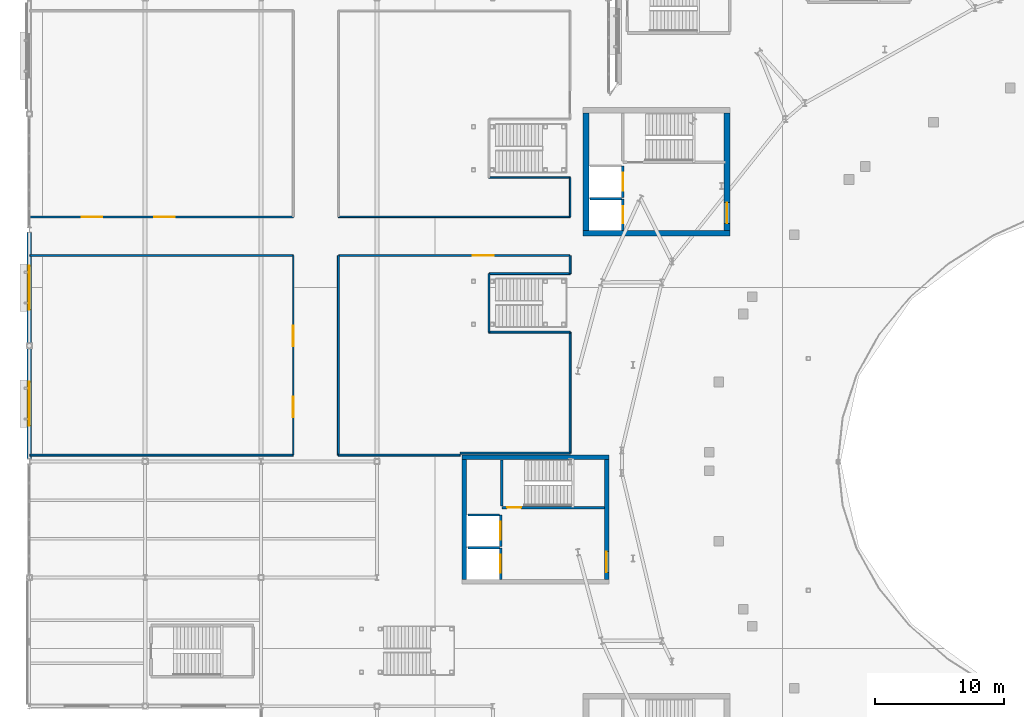
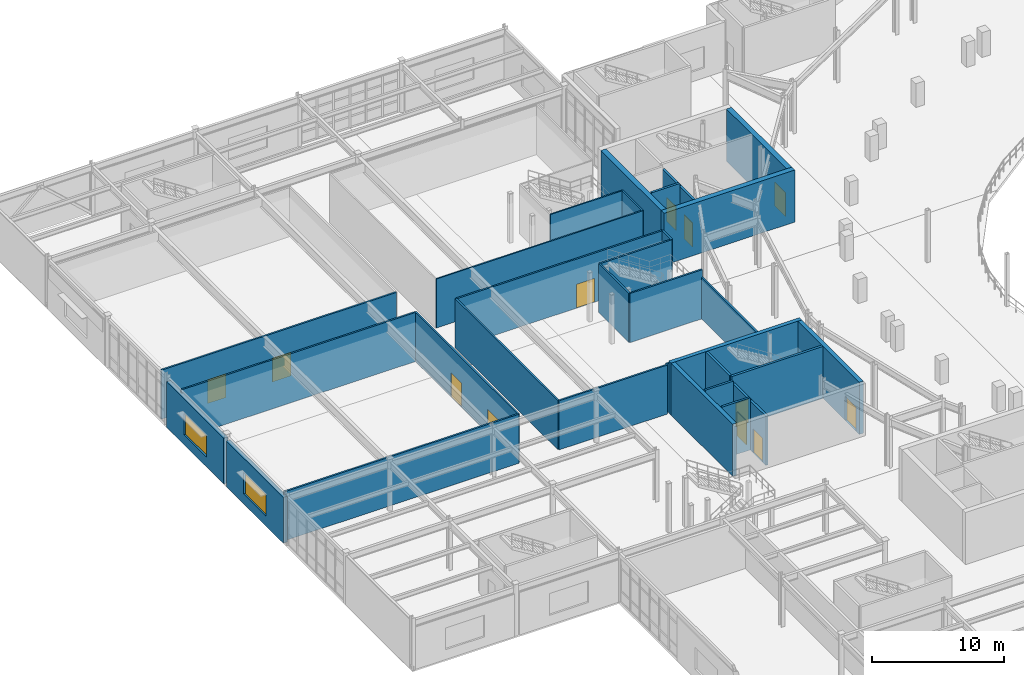
# One storey, part 60 of 84: 33 walls, 12 doors, 2 windows, 14 openings.
"""IFC4 building model written with IfcOpenShell, lengths in metres."""

from ifc_helpers import new_model, si_unit, direction, frame, frame_2d, origin, place, context, subcontext, project, spatial, rectangle, extrude, material, layer, layer_set, type_object, element, fill, save


model = new_model("IFC4")

# Units and contexts
model_context = context("Model", 3, precision=1e-05, world=origin(), true_north=direction((0.0, 1.0)))
body_context = subcontext(model_context, "Body", "Model", "MODEL_VIEW")
ifc_project = project(units=[si_unit("LENGTHUNIT", "METRE"), si_unit("AREAUNIT", "SQUARE_METRE"), si_unit("VOLUMEUNIT", "CUBIC_METRE"), si_unit("PLANEANGLEUNIT", "RADIAN"), si_unit("MASSUNIT", "GRAM", prefix="KILO")], contexts=[model_context])

# Site, building, storey
site_placement = place(None, origin())
site = spatial("IfcSite", under=ifc_project, at=site_placement, CompositionType="ELEMENT")
building_placement = place(site_placement, origin())
building = spatial("IfcBuilding", under=site, at=building_placement, Name="Glasvene Arena", CompositionType="ELEMENT")
storey_placement = place(building_placement, frame((0.0, 0.0, 10.199951171875)))
storey = spatial("IfcBuildingStorey", under=building, at=storey_placement, Name="L02", CompositionType="ELEMENT", Elevation=10.199951171875)

# Walls
ifc_material_1 = material(Name="Concrete C40/50", Category="concrete")
ifc_layer_1 = layer(ifc_material_1, 0.35009765625)
ifc_layer_set_1 = layer_set([ifc_layer_1], Name="Concrete C40/50")
wall_type_1 = type_object("IfcWallType", Name="WL-CORE-350", PredefinedType="SHEAR", material=ifc_layer_set_1)
wall_1_placement = place(storey_placement, frame((33.60009765625, 73.324951171875, 0.0), z_axis=(0.0, 0.0, 1.0), x_axis=(1.0, 0.0, 0.0)))
element("IfcWall", 1, at=wall_1_placement, inside=storey, type_object=wall_type_1, Name="Core C5 West Media shear wall N L02", PredefinedType="SHEAR", context=body_context, shape_type="SweptSolid", body=[
    extrude(rectangle(XDim=11.39990234375, YDim=0.35009765625, at=frame_2d((5.699951171875, 0.0))), origin(), (0.0, 0.0, 1.0), 4.800048828125),
])
wall_2_placement = place(storey_placement, frame((33.77490234375, 63.85009765625, 0.0), z_axis=(0.0, 0.0, 1.0), x_axis=(0.0, 1.0, 0.0)))
element("IfcWall", 2, at=wall_2_placement, inside=storey, type_object=wall_type_1, Name="Core C5 West Media shear wall W L02", PredefinedType="SHEAR", context=body_context, shape_type="SweptSolid", body=[
    extrude(rectangle(XDim=9.2998046875, YDim=0.35009765625, at=frame_2d((4.64990234375, 0.0))), origin(), (0.0, 0.0, 1.0), 4.800048828125),
])

# Wall, opening, door
wall_3_placement = place(storey_placement, frame((44.824951171875, 63.85009765625, 0.0), z_axis=(0.0, 0.0, 1.0), x_axis=(0.0, 1.0, 0.0)))
wall_3 = element("IfcWall", 3, at=wall_3_placement, inside=storey, type_object=wall_type_1, Name="Core C5 West Media shear wall E L02", PredefinedType="SHEAR", context=body_context, shape_type="SweptSolid", body=[
    extrude(rectangle(XDim=9.2998046875, YDim=0.35009765625, at=frame_2d((4.64990234375, 0.0))), origin(), (0.0, 0.0, 1.0), 4.800048828125),
])
opening_1_placement = place(wall_3_placement, frame((0.550048828125, 0.0, 0.0)))
opening_1 = element("IfcOpeningElement", 4, at=opening_1_placement, cuts=wall_3, Name="Opening D-02", PredefinedType="OPENING", context=body_context, shape_type="SweptSolid", body=[
    extrude(rectangle(XDim=1.60009765625, YDim=2.199951171875, at=frame_2d((0.800048828125, 1.10009765625))), frame((0.0, 0.18505859375, 0.0), z_axis=(0.0, -1.0, 0.0), x_axis=(1.0, 0.0, 0.0)), (0.0, 0.0, 1.0), 0.3701171875),
])
ifc_material_2 = material(Name="Painted fire-resisting steel", Category="steel")
door_type_1 = type_object("IfcDoorType", Name="DR-FD60-1600", OperationType="DOUBLE_DOOR_SINGLE_SWING", PredefinedType="DOOR", material=ifc_material_2)
door_1_placement = place(opening_1_placement, frame((1.60009765625, 0.0, 0.0), z_axis=(0.0, 0.0, 1.0), x_axis=(-1.0, 0.0, 0.0)))
door_1 = element("IfcDoor", 5, at=door_1_placement, inside=storey, type_object=door_type_1, Name="Core firefighting lobby concourse door C5-L02", OperationType="DOUBLE_DOOR_SINGLE_SWING", OverallHeight=2.199951171875, OverallWidth=1.60009765625, PredefinedType="DOOR", context=body_context, shape_type="SweptSolid", body=[
    extrude(rectangle(XDim=1.60009765625, YDim=2.199951171875, at=frame_2d((0.800048828125, 1.10009765625))), frame((0.0, 0.02490234375, 0.0), z_axis=(0.0, -1.0, 0.0), x_axis=(1.0, 0.0, 0.0)), (0.0, 0.0, 1.0), 0.050048828125),
])
fill(opening_1, door_1)

# Walls
ifc_layer_2 = layer(ifc_material_1, 0.449951171875)
ifc_layer_set_2 = layer_set([ifc_layer_2], Name="Concrete C40/50")
wall_type_2 = type_object("IfcWallType", Name="WL-CORE-450", PredefinedType="SHEAR", material=ifc_layer_set_2)
wall_4_placement = place(storey_placement, frame((43.0, 90.72509765625, 0.0), z_axis=(0.0, 0.0, 1.0), x_axis=(1.0, 0.0, 0.0)))
element("IfcWall", 6, at=wall_4_placement, inside=storey, type_object=wall_type_2, Name="Core C1 North-West shear wall S L02", PredefinedType="SHEAR", context=body_context, shape_type="SweptSolid", body=[
    extrude(rectangle(XDim=11.39990234375, YDim=0.449951171875, at=frame_2d((5.699951171875, 0.0))), origin(), (0.0, 0.0, 1.0), 4.800048828125),
])
wall_5_placement = place(storey_placement, frame((43.22509765625, 90.949951171875, 0.0), z_axis=(0.0, 0.0, 1.0), x_axis=(0.0, 1.0, 0.0)))
element("IfcWall", 7, at=wall_5_placement, inside=storey, type_object=wall_type_2, Name="Core C1 North-West shear wall W L02", PredefinedType="SHEAR", context=body_context, shape_type="SweptSolid", body=[
    extrude(rectangle(XDim=9.10009765625, YDim=0.449951171875, at=frame_2d((4.550048828125, 0.0))), origin(), (0.0, 0.0, 1.0), 4.800048828125),
])

# Wall, opening, door
wall_6_placement = place(storey_placement, frame((54.175048828125, 90.949951171875, 0.0), z_axis=(0.0, 0.0, 1.0), x_axis=(0.0, 1.0, 0.0)))
wall_6 = element("IfcWall", 8, at=wall_6_placement, inside=storey, type_object=wall_type_2, Name="Core C1 North-West shear wall E L02", PredefinedType="SHEAR", context=body_context, shape_type="SweptSolid", body=[
    extrude(rectangle(XDim=9.10009765625, YDim=0.449951171875, at=frame_2d((4.550048828125, 0.0))), origin(), (0.0, 0.0, 1.0), 4.800048828125),
])
opening_2_placement = place(wall_6_placement, frame((0.550048828125, 0.0, 0.0)))
opening_2 = element("IfcOpeningElement", 9, at=opening_2_placement, cuts=wall_6, Name="Opening D-02", PredefinedType="OPENING", context=body_context, shape_type="SweptSolid", body=[
    extrude(rectangle(XDim=1.60009765625, YDim=2.199951171875, at=frame_2d((0.800048828125, 1.10009765625))), frame((0.0, 0.23486328125, 0.0), z_axis=(0.0, -1.0, 0.0), x_axis=(1.0, 0.0, 0.0)), (0.0, 0.0, 1.0), 0.469970703125),
])
door_2_placement = place(opening_2_placement, frame((1.60009765625, 0.0, 0.0), z_axis=(0.0, 0.0, 1.0), x_axis=(-1.0, 0.0, 0.0)))
door_2 = element("IfcDoor", 10, at=door_2_placement, inside=storey, type_object=door_type_1, Name="Core firefighting lobby concourse door C1-L02", OperationType="DOUBLE_DOOR_SINGLE_SWING", OverallHeight=2.199951171875, OverallWidth=1.60009765625, PredefinedType="DOOR", context=body_context, shape_type="SweptSolid", body=[
    extrude(rectangle(XDim=1.60009765625, YDim=2.199951171875, at=frame_2d((0.800048828125, 1.10009765625))), frame((0.0, 0.02490234375, 0.0), z_axis=(0.0, -1.0, 0.0), x_axis=(1.0, 0.0, 0.0)), (0.0, 0.0, 1.0), 0.050048828125),
])
fill(opening_2, door_2)

# Wall, opening, window
ifc_material_3 = material(Name="Coursed pale Irish limestone", Category="masonry")
ifc_layer_3 = layer(ifc_material_3, 0.360107421875)
ifc_layer_set_3 = layer_set([ifc_layer_3], Name="Coursed pale Irish limestone")
wall_type_3 = type_object("IfcWallType", Name="WL-EXT-LIM-360", PredefinedType="STANDARD", material=ifc_layer_set_3)
wall_7_placement = place(storey_placement, frame((0.0, 73.201904296875, 0.0), z_axis=(0.0, 0.0, 1.0), x_axis=(0.0, 1.0, 0.0)))
wall_7 = element("IfcWall", 11, at=wall_7_placement, inside=storey, type_object=wall_type_3, Name="External facade wall EW-L02-0121", PredefinedType="STANDARD", context=body_context, shape_type="SweptSolid", body=[
    extrude(rectangle(XDim=8.593017578125, YDim=0.360107421875, at=frame_2d((4.29638671875, 0.0))), origin(), (0.0, 0.0, 1.0), 4.215087890625),
])
opening_3_placement = place(wall_7_placement, frame((2.595947265625, 0.0, 0.89990234375)))
opening_3 = element("IfcOpeningElement", 12, at=opening_3_placement, cuts=wall_7, Name="Opening W-06", PredefinedType="OPENING", context=body_context, shape_type="SweptSolid", body=[
    extrude(rectangle(XDim=3.39990234375, YDim=2.0, at=frame_2d((1.699951171875, 1.0))), frame((0.0, 0.18994140625, 0.0), z_axis=(0.0, -1.0, 0.0), x_axis=(1.0, 0.0, 0.0)), (0.0, 0.0, 1.0), 0.380126953125),
])
ifc_material_4 = material(Name="Low-emissivity laminated double glazing", Category="glass")
window_type = type_object("IfcWindowType", Name="WN-CLUB-340x200", PartitioningType="TRIPLE_PANEL_VERTICAL", PredefinedType="WINDOW", material=ifc_material_4)
window_1_placement = place(opening_3_placement, origin())
window_1 = element("IfcWindow", 13, at=window_1_placement, inside=storey, type_object=window_type, Name="Facade window WN-CLUB-340x200 L02-0067", OverallHeight=2.0, OverallWidth=3.39990234375, PartitioningType="SINGLE_PANEL", PredefinedType="WINDOW", context=body_context, shape_type="SweptSolid", body=[
    extrude(rectangle(XDim=3.39990234375, YDim=2.0, at=frame_2d((1.699951171875, 1.0))), frame((0.0, 0.030029296875, 0.0), z_axis=(0.0, -1.0, 0.0), x_axis=(1.0, 0.0, 0.0)), (0.0, 0.0, 1.0), 0.06005859375),
])
fill(opening_3, window_1)

wall_8_placement = place(storey_placement, frame((0.0, 82.205078125, 0.0), z_axis=(0.0, 0.0, 1.0), x_axis=(0.0, 1.0, 0.0)))
wall_8 = element("IfcWall", 14, at=wall_8_placement, inside=storey, type_object=wall_type_3, Name="External facade wall EW-L02-0122", PredefinedType="STANDARD", context=body_context, shape_type="SweptSolid", body=[
    extrude(rectangle(XDim=8.593017578125, YDim=0.360107421875, at=frame_2d((4.29638671875, 0.0))), origin(), (0.0, 0.0, 1.0), 4.215087890625),
])
opening_4_placement = place(wall_8_placement, frame((2.595947265625, 0.0, 0.89990234375)))
opening_4 = element("IfcOpeningElement", 15, at=opening_4_placement, cuts=wall_8, Name="Opening W-06", PredefinedType="OPENING", context=body_context, shape_type="SweptSolid", body=[
    extrude(rectangle(XDim=3.39990234375, YDim=2.0, at=frame_2d((1.699951171875, 1.0))), frame((0.0, 0.18994140625, 0.0), z_axis=(0.0, -1.0, 0.0), x_axis=(1.0, 0.0, 0.0)), (0.0, 0.0, 1.0), 0.380126953125),
])
window_2_placement = place(opening_4_placement, origin())
window_2 = element("IfcWindow", 16, at=window_2_placement, inside=storey, type_object=window_type, Name="Facade window WN-CLUB-340x200 L02-0068", OverallHeight=2.0, OverallWidth=3.39990234375, PartitioningType="SINGLE_PANEL", PredefinedType="WINDOW", context=body_context, shape_type="SweptSolid", body=[
    extrude(rectangle(XDim=3.39990234375, YDim=2.0, at=frame_2d((1.699951171875, 1.0))), frame((0.0, 0.030029296875, 0.0), z_axis=(0.0, -1.0, 0.0), x_axis=(1.0, 0.0, 0.0)), (0.0, 0.0, 1.0), 0.06005859375),
])
fill(opening_4, window_2)

# Walls
ifc_material_5 = material(Name="Lightweight gypsum metal-stud partition")
ifc_layer_4 = layer(ifc_material_5, 0.1201171875)
ifc_layer_set_4 = layer_set([ifc_layer_4], Name="Lightweight gypsum metal-stud partition")
wall_type_4 = type_object("IfcWallType", Name="WL-PART-120", PredefinedType="PARTITIONING", material=ifc_layer_set_4)
wall_9_placement = place(storey_placement, frame((35.699951171875, 95.050048828125, 0.0), z_axis=(0.0, 0.0, 1.0), x_axis=(1.0, 0.0, 0.0)))
element("IfcWall", 17, at=wall_9_placement, inside=storey, type_object=wall_type_4, Name="Interior partition wall IW-L02-0242 (Arena Administration Office)", PredefinedType="PARTITIONING", context=body_context, shape_type="SweptSolid", body=[
    extrude(rectangle(XDim=6.300048828125, YDim=0.1201171875, at=frame_2d((3.14990234375, 0.0))), origin(), (0.0, 0.0, 1.0), 4.52001953125),
])
wall_10_placement = place(storey_placement, frame((42.0, 95.050048828125, 0.0), z_axis=(0.0, 0.0, 1.0), x_axis=(0.0, -1.0, 0.0)))
element("IfcWall", 18, at=wall_10_placement, inside=storey, type_object=wall_type_4, Name="Interior partition wall IW-L02-0243 (Arena Administration Office)", PredefinedType="PARTITIONING", context=body_context, shape_type="SweptSolid", body=[
    extrude(rectangle(XDim=3.050048828125, YDim=0.1201171875, at=frame_2d((1.52490234375, 0.0))), origin(), (0.0, 0.0, 1.0), 4.52001953125),
])
wall_11_placement = place(storey_placement, frame((42.0, 92.0, 0.0), z_axis=(0.0, 0.0, 1.0), x_axis=(-1.0, 0.0, 0.0)))
element("IfcWall", 19, at=wall_11_placement, inside=storey, type_object=wall_type_4, Name="Interior partition wall IW-L02-0244 (Arena Administration Office)", PredefinedType="PARTITIONING", context=body_context, shape_type="SweptSolid", body=[
    extrude(rectangle(XDim=18.0, YDim=0.1201171875, at=frame_2d((9.0, 0.0))), origin(), (0.0, 0.0, 1.0), 4.52001953125),
])
ifc_material_6 = material(Name="Insulated acoustic metal-stud partition")
ifc_layer_5 = layer(ifc_material_6, 0.14990234375)
ifc_layer_set_5 = layer_set([ifc_layer_5], Name="Insulated acoustic metal-stud partition")
wall_type_5 = type_object("IfcWallType", Name="WL-PART-150", PredefinedType="PARTITIONING", material=ifc_layer_set_5)
wall_12_placement = place(storey_placement, frame((0.0400390625, 89.0, 0.0), z_axis=(0.0, 0.0, 1.0), x_axis=(1.0, 0.0, 0.0)))
element("IfcWall", 20, at=wall_12_placement, inside=storey, type_object=wall_type_5, Name="Interior partition wall IW-L02-0227 (Community Learning Classroom 1)", PredefinedType="PARTITIONING", context=body_context, shape_type="SweptSolid", body=[
    extrude(rectangle(XDim=20.4599609375, YDim=0.14990234375, at=frame_2d((10.22998046875, 0.0))), origin(), (0.0, 0.0, 1.0), 4.52001953125),
])

# Wall, openings, doors
wall_13_placement = place(storey_placement, frame((20.5, 89.0, 0.0), z_axis=(0.0, 0.0, 1.0), x_axis=(0.0, -1.0, 0.0)))
wall_13 = element("IfcWall", 21, at=wall_13_placement, inside=storey, type_object=wall_type_5, Name="Interior partition wall IW-L02-0228 (Community Learning Classroom 1)", PredefinedType="PARTITIONING", context=body_context, shape_type="SweptSolid", body=[
    extrude(rectangle(XDim=15.5, YDim=0.14990234375, at=frame_2d((7.75, 0.0))), origin(), (0.0, 0.0, 1.0), 4.52001953125),
])
opening_5_placement = place(wall_13_placement, frame((10.949951171875, 0.0, 0.0)))
opening_5 = element("IfcOpeningElement", 22, at=opening_5_placement, cuts=wall_13, Name="Opening D-02", PredefinedType="OPENING", context=body_context, shape_type="SweptSolid", body=[
    extrude(rectangle(XDim=1.60009765625, YDim=2.199951171875, at=frame_2d((0.800048828125, 1.10009765625))), frame((0.0, 0.0849609375, 0.0), z_axis=(0.0, -1.0, 0.0), x_axis=(1.0, 0.0, 0.0)), (0.0, 0.0, 1.0), 0.169921875),
])
opening_6_placement = place(wall_13_placement, frame((5.449951171875, 0.0, 0.0)))
opening_6 = element("IfcOpeningElement", 23, at=opening_6_placement, cuts=wall_13, Name="Opening D-02", PredefinedType="OPENING", context=body_context, shape_type="SweptSolid", body=[
    extrude(rectangle(XDim=1.60009765625, YDim=2.199951171875, at=frame_2d((0.800048828125, 1.10009765625))), frame((0.0, 0.0849609375, 0.0), z_axis=(0.0, -1.0, 0.0), x_axis=(1.0, 0.0, 0.0)), (0.0, 0.0, 1.0), 0.169921875),
])
door_3_placement = place(opening_5_placement, origin())
door_3 = element("IfcDoor", 24, at=door_3_placement, inside=storey, type_object=door_type_1, Name="Interior door DR-FD60-1600 (Community Learning Classroom 1)", OperationType="DOUBLE_DOOR_SINGLE_SWING", OverallHeight=2.199951171875, OverallWidth=1.60009765625, PredefinedType="DOOR", context=body_context, shape_type="SweptSolid", body=[
    extrude(rectangle(XDim=1.60009765625, YDim=2.199951171875, at=frame_2d((0.800048828125, 1.10009765625))), frame((0.0, 0.02490234375, 0.0), z_axis=(0.0, -1.0, 0.0), x_axis=(1.0, 0.0, 0.0)), (0.0, 0.0, 1.0), 0.050048828125),
])
fill(opening_5, door_3)
door_4_placement = place(opening_6_placement, origin())
door_4 = element("IfcDoor", 25, at=door_4_placement, inside=storey, type_object=door_type_1, Name="Interior door DR-FD60-1600 (Community Learning Classroom 1)", OperationType="DOUBLE_DOOR_SINGLE_SWING", OverallHeight=2.199951171875, OverallWidth=1.60009765625, PredefinedType="DOOR", context=body_context, shape_type="SweptSolid", body=[
    extrude(rectangle(XDim=1.60009765625, YDim=2.199951171875, at=frame_2d((0.800048828125, 1.10009765625))), frame((0.0, 0.02490234375, 0.0), z_axis=(0.0, -1.0, 0.0), x_axis=(1.0, 0.0, 0.0)), (0.0, 0.0, 1.0), 0.050048828125),
])
fill(opening_6, door_4)

# Walls
wall_14_placement = place(storey_placement, frame((20.5, 73.5, 0.0), z_axis=(0.0, 0.0, 1.0), x_axis=(-1.0, 0.0, 0.0)))
element("IfcWall", 26, at=wall_14_placement, inside=storey, type_object=wall_type_5, Name="Interior partition wall IW-L02-0229 (Community Learning Classroom 1)", PredefinedType="PARTITIONING", context=body_context, shape_type="SweptSolid", body=[
    extrude(rectangle(XDim=20.4599609375, YDim=0.14990234375, at=frame_2d((10.22998046875, 0.0))), origin(), (0.0, 0.0, 1.0), 4.52001953125),
])
wall_15_placement = place(storey_placement, frame((33.449951171875, 73.5, 0.0), z_axis=(0.0, 0.0, 1.0), x_axis=(-1.0, 0.0, 0.0)))
element("IfcWall", 27, at=wall_15_placement, inside=storey, type_object=wall_type_5, Name="Interior partition wall IW-L02-0230 (Community Learning Classroom 2)", PredefinedType="PARTITIONING", context=body_context, shape_type="SweptSolid", body=[
    extrude(rectangle(XDim=9.449951171875, YDim=0.14990234375, at=frame_2d((4.72509765625, 0.0))), origin(), (0.0, 0.0, 1.0), 4.52001953125),
])
wall_16_placement = place(storey_placement, frame((24.0, 73.5, 0.0), z_axis=(0.0, 0.0, 1.0), x_axis=(0.0, 1.0, 0.0)))
element("IfcWall", 28, at=wall_16_placement, inside=storey, type_object=wall_type_5, Name="Interior partition wall IW-L02-0231 (Community Learning Classroom 2)", PredefinedType="PARTITIONING", context=body_context, shape_type="SweptSolid", body=[
    extrude(rectangle(XDim=15.5, YDim=0.14990234375, at=frame_2d((7.75, 0.0))), origin(), (0.0, 0.0, 1.0), 4.52001953125),
])

# Wall, opening, door
wall_17_placement = place(storey_placement, frame((24.0, 89.0, 0.0), z_axis=(0.0, 0.0, 1.0), x_axis=(1.0, 0.0, 0.0)))
wall_17 = element("IfcWall", 29, at=wall_17_placement, inside=storey, type_object=wall_type_5, Name="Interior partition wall IW-L02-0232 (Community Learning Classroom 2)", PredefinedType="PARTITIONING", context=body_context, shape_type="SweptSolid", body=[
    extrude(rectangle(XDim=18.0, YDim=0.14990234375, at=frame_2d((9.0, 0.0))), origin(), (0.0, 0.0, 1.0), 4.52001953125),
])
opening_7_placement = place(wall_17_placement, frame((10.449951171875, 0.0, 0.0)))
opening_7 = element("IfcOpeningElement", 30, at=opening_7_placement, cuts=wall_17, Name="Opening D-02", PredefinedType="OPENING", context=body_context, shape_type="SweptSolid", body=[
    extrude(rectangle(XDim=1.60009765625, YDim=2.199951171875, at=frame_2d((0.800048828125, 1.10009765625))), frame((0.0, 0.0849609375, 0.0), z_axis=(0.0, -1.0, 0.0), x_axis=(1.0, 0.0, 0.0)), (0.0, 0.0, 1.0), 0.169921875),
])
door_5_placement = place(opening_7_placement, origin())
door_5 = element("IfcDoor", 31, at=door_5_placement, inside=storey, type_object=door_type_1, Name="Interior door DR-FD60-1600 (Community Learning Classroom 2)", OperationType="DOUBLE_DOOR_SINGLE_SWING", OverallHeight=2.199951171875, OverallWidth=1.60009765625, PredefinedType="DOOR", context=body_context, shape_type="SweptSolid", body=[
    extrude(rectangle(XDim=1.60009765625, YDim=2.199951171875, at=frame_2d((0.800048828125, 1.10009765625))), frame((0.0, 0.02490234375, 0.0), z_axis=(0.0, -1.0, 0.0), x_axis=(1.0, 0.0, 0.0)), (0.0, 0.0, 1.0), 0.050048828125),
])
fill(opening_7, door_5)

# Walls
wall_18_placement = place(storey_placement, frame((42.0, 89.0, 0.0), z_axis=(0.0, 0.0, 1.0), x_axis=(0.0, -1.0, 0.0)))
element("IfcWall", 32, at=wall_18_placement, inside=storey, type_object=wall_type_5, Name="Interior partition wall IW-L02-0233 (Community Learning Classroom 2)", PredefinedType="PARTITIONING", context=body_context, shape_type="SweptSolid", body=[
    extrude(rectangle(XDim=1.39990234375, YDim=0.14990234375, at=frame_2d((0.699951171875, 0.0))), origin(), (0.0, 0.0, 1.0), 4.52001953125),
])
wall_19_placement = place(storey_placement, frame((42.0, 87.60009765625, 0.0), z_axis=(0.0, 0.0, 1.0), x_axis=(-1.0, 0.0, 0.0)))
element("IfcWall", 33, at=wall_19_placement, inside=storey, type_object=wall_type_5, Name="Interior partition wall IW-L02-0234 (Community Learning Classroom 2)", PredefinedType="PARTITIONING", context=body_context, shape_type="SweptSolid", body=[
    extrude(rectangle(XDim=6.300048828125, YDim=0.14990234375, at=frame_2d((3.14990234375, 0.0))), origin(), (0.0, 0.0, 1.0), 4.52001953125),
])
wall_20_placement = place(storey_placement, frame((35.699951171875, 87.60009765625, 0.0), z_axis=(0.0, 0.0, 1.0), x_axis=(0.0, -1.0, 0.0)))
element("IfcWall", 34, at=wall_20_placement, inside=storey, type_object=wall_type_5, Name="Interior partition wall IW-L02-0235 (Community Learning Classroom 2)", PredefinedType="PARTITIONING", context=body_context, shape_type="SweptSolid", body=[
    extrude(rectangle(XDim=4.550048828125, YDim=0.14990234375, at=frame_2d((2.27490234375, 0.0))), origin(), (0.0, 0.0, 1.0), 4.52001953125),
])
wall_21_placement = place(storey_placement, frame((35.699951171875, 83.050048828125, 0.0), z_axis=(0.0, 0.0, 1.0), x_axis=(1.0, 0.0, 0.0)))
element("IfcWall", 35, at=wall_21_placement, inside=storey, type_object=wall_type_5, Name="Interior partition wall IW-L02-0236 (Community Learning Classroom 2)", PredefinedType="PARTITIONING", context=body_context, shape_type="SweptSolid", body=[
    extrude(rectangle(XDim=6.300048828125, YDim=0.14990234375, at=frame_2d((3.14990234375, 0.0))), origin(), (0.0, 0.0, 1.0), 4.52001953125),
])
wall_22_placement = place(storey_placement, frame((42.0, 83.050048828125, 0.0), z_axis=(0.0, 0.0, 1.0), x_axis=(0.0, -1.0, 0.0)))
element("IfcWall", 36, at=wall_22_placement, inside=storey, type_object=wall_type_5, Name="Interior partition wall IW-L02-0237 (Community Learning Classroom 2)", PredefinedType="PARTITIONING", context=body_context, shape_type="SweptSolid", body=[
    extrude(rectangle(XDim=9.400146484375, YDim=0.14990234375, at=frame_2d((4.7001953125, 0.0))), origin(), (0.0, 0.0, 1.0), 3.83154296875),
])
wall_23_placement = place(storey_placement, frame((42.0, 73.64990234375, 0.0), z_axis=(0.0, 0.0, 1.0), x_axis=(-1.0, 0.0, 0.0)))
element("IfcWall", 37, at=wall_23_placement, inside=storey, type_object=wall_type_5, Name="Interior partition wall IW-L02-0238 (Community Learning Classroom 2)", PredefinedType="PARTITIONING", context=body_context, shape_type="SweptSolid", body=[
    extrude(rectangle(XDim=8.550048828125, YDim=0.14990234375, at=frame_2d((4.27490234375, 0.0))), origin(), (0.0, 0.0, 1.0), 4.52001953125),
])

# Wall, openings, doors
wall_24_placement = place(storey_placement, frame((20.5, 92.0, 0.0), z_axis=(0.0, 0.0, 1.0), x_axis=(-1.0, 0.0, 0.0)))
wall_24 = element("IfcWall", 38, at=wall_24_placement, inside=storey, type_object=wall_type_5, Name="Interior partition wall IW-L02-0241 (Community Digital Media Lab)", PredefinedType="PARTITIONING", context=body_context, shape_type="SweptSolid", body=[
    extrude(rectangle(XDim=20.47998046875, YDim=0.14990234375, at=frame_2d((10.239990234375, 0.0))), origin(), (0.0, 0.0, 1.0), 4.52001953125),
])
opening_8_placement = place(wall_24_placement, frame((14.825927734375, 0.0, 0.0)))
opening_8 = element("IfcOpeningElement", 39, at=opening_8_placement, cuts=wall_24, Name="Opening D-02", PredefinedType="OPENING", context=body_context, shape_type="SweptSolid", body=[
    extrude(rectangle(XDim=1.60009765625, YDim=2.199951171875, at=frame_2d((0.800048828125, 1.10009765625))), frame((0.0, 0.0849609375, 0.0), z_axis=(0.0, -1.0, 0.0), x_axis=(1.0, 0.0, 0.0)), (0.0, 0.0, 1.0), 0.169921875),
])
opening_9_placement = place(wall_24_placement, frame((9.18408203125, 0.0, 0.0)))
opening_9 = element("IfcOpeningElement", 40, at=opening_9_placement, cuts=wall_24, Name="Opening D-02", PredefinedType="OPENING", context=body_context, shape_type="SweptSolid", body=[
    extrude(rectangle(XDim=1.60009765625, YDim=2.199951171875, at=frame_2d((0.800048828125, 1.10009765625))), frame((0.0, 0.0849609375, 0.0), z_axis=(0.0, -1.0, 0.0), x_axis=(1.0, 0.0, 0.0)), (0.0, 0.0, 1.0), 0.169921875),
])
door_6_placement = place(opening_8_placement, origin())
door_6 = element("IfcDoor", 41, at=door_6_placement, inside=storey, type_object=door_type_1, Name="Interior door DR-FD60-1600 (Community Digital Media Lab)", OperationType="DOUBLE_DOOR_SINGLE_SWING", OverallHeight=2.199951171875, OverallWidth=1.60009765625, PredefinedType="DOOR", context=body_context, shape_type="SweptSolid", body=[
    extrude(rectangle(XDim=1.60009765625, YDim=2.199951171875, at=frame_2d((0.800048828125, 1.10009765625))), frame((0.0, 0.02490234375, 0.0), z_axis=(0.0, -1.0, 0.0), x_axis=(1.0, 0.0, 0.0)), (0.0, 0.0, 1.0), 0.050048828125),
])
fill(opening_8, door_6)
door_7_placement = place(opening_9_placement, origin())
door_7 = element("IfcDoor", 42, at=door_7_placement, inside=storey, type_object=door_type_1, Name="Interior door DR-FD60-1600 (Community Digital Media Lab)", OperationType="DOUBLE_DOOR_SINGLE_SWING", OverallHeight=2.199951171875, OverallWidth=1.60009765625, PredefinedType="DOOR", context=body_context, shape_type="SweptSolid", body=[
    extrude(rectangle(XDim=1.60009765625, YDim=2.199951171875, at=frame_2d((0.800048828125, 1.10009765625))), frame((0.0, 0.02490234375, 0.0), z_axis=(0.0, -1.0, 0.0), x_axis=(1.0, 0.0, 0.0)), (0.0, 0.0, 1.0), 0.050048828125),
])
fill(opening_9, door_7)

# Wall, opening, door
ifc_layer_6 = layer(ifc_material_1, 0.199951171875)
ifc_layer_set_6 = layer_set([ifc_layer_6], Name="Concrete C40/50")
wall_type_6 = type_object("IfcWallType", Name="WL-SHAFT-200", PredefinedType="SHEAR", material=ifc_layer_set_6)
wall_25_placement = place(storey_placement, frame((46.10009765625, 90.949951171875, 0.0), z_axis=(0.0, 0.0, 1.0), x_axis=(0.0, 1.0, 0.0)))
wall_25 = element("IfcWall", 43, at=wall_25_placement, inside=storey, type_object=wall_type_6, Name="Lift shaft front wall FFL-01 L02", PredefinedType="SHEAR", context=body_context, shape_type="SweptSolid", body=[
    extrude(rectangle(XDim=2.449951171875, YDim=0.199951171875, at=frame_2d((1.22509765625, 0.0))), origin(), (0.0, 0.0, 1.0), 4.52001953125),
])
opening_10_placement = place(wall_25_placement, frame((0.574951171875, 0.0, 0.0)))
opening_10 = element("IfcOpeningElement", 44, at=opening_10_placement, cuts=wall_25, Name="Opening LD-FF", PredefinedType="OPENING", context=body_context, shape_type="SweptSolid", body=[
    extrude(rectangle(XDim=1.300048828125, YDim=2.199951171875, at=frame_2d((0.64990234375, 1.10009765625))), frame((0.0, 0.10986328125, 0.0), z_axis=(0.0, -1.0, 0.0), x_axis=(1.0, 0.0, 0.0)), (0.0, 0.0, 1.0), 0.219970703125),
])
ifc_material_7 = material(Name="Brushed stainless steel", Category="steel")
door_type_2 = type_object("IfcDoorType", Name="LD-FFL-1300", OperationType="DOUBLE_DOOR_SLIDING", PredefinedType="DOOR", material=ifc_material_7)
door_8_placement = place(opening_10_placement, origin())
door_8 = element("IfcDoor", 45, at=door_8_placement, inside=storey, type_object=door_type_2, Name="Lift sliding landing door LD-FFL-01-L02", OperationType="DOUBLE_DOOR_SLIDING", OverallHeight=2.199951171875, OverallWidth=1.300048828125, PredefinedType="DOOR", context=body_context, shape_type="SweptSolid", body=[
    extrude(rectangle(XDim=1.300048828125, YDim=2.199951171875, at=frame_2d((0.64990234375, 1.10009765625))), frame((0.0, 0.02490234375, 0.0), z_axis=(0.0, -1.0, 0.0), x_axis=(1.0, 0.0, 0.0)), (0.0, 0.0, 1.0), 0.050048828125),
])
fill(opening_10, door_8)

wall_26_placement = place(storey_placement, frame((46.10009765625, 93.5, 0.0), z_axis=(0.0, 0.0, 1.0), x_axis=(0.0, 1.0, 0.0)))
wall_26 = element("IfcWall", 46, at=wall_26_placement, inside=storey, type_object=wall_type_6, Name="Lift shaft front wall PL-01 L02", PredefinedType="SHEAR", context=body_context, shape_type="SweptSolid", body=[
    extrude(rectangle(XDim=2.449951171875, YDim=0.199951171875, at=frame_2d((1.22509765625, 0.0))), origin(), (0.0, 0.0, 1.0), 4.52001953125),
])
opening_11_placement = place(wall_26_placement, frame((0.52490234375, 0.0, 0.0)))
opening_11 = element("IfcOpeningElement", 47, at=opening_11_placement, cuts=wall_26, Name="Opening LD-PL", PredefinedType="OPENING", context=body_context, shape_type="SweptSolid", body=[
    extrude(rectangle(XDim=1.39990234375, YDim=2.199951171875, at=frame_2d((0.699951171875, 1.10009765625))), frame((0.0, 0.10986328125, 0.0), z_axis=(0.0, -1.0, 0.0), x_axis=(1.0, 0.0, 0.0)), (0.0, 0.0, 1.0), 0.219970703125),
])
door_type_3 = type_object("IfcDoorType", Name="LD-PL-1400", OperationType="DOUBLE_DOOR_SLIDING", PredefinedType="DOOR", material=ifc_material_7)
door_9_placement = place(opening_11_placement, origin())
door_9 = element("IfcDoor", 48, at=door_9_placement, inside=storey, type_object=door_type_3, Name="Lift sliding landing door LD-PL-01-L02", OperationType="DOUBLE_DOOR_SLIDING", OverallHeight=2.199951171875, OverallWidth=1.39990234375, PredefinedType="DOOR", context=body_context, shape_type="SweptSolid", body=[
    extrude(rectangle(XDim=1.39990234375, YDim=2.199951171875, at=frame_2d((0.699951171875, 1.10009765625))), frame((0.0, 0.02490234375, 0.0), z_axis=(0.0, -1.0, 0.0), x_axis=(1.0, 0.0, 0.0)), (0.0, 0.0, 1.0), 0.050048828125),
])
fill(opening_11, door_9)

wall_27_placement = place(storey_placement, frame((36.60009765625, 63.85009765625, 0.0), z_axis=(0.0, 0.0, 1.0), x_axis=(0.0, 1.0, 0.0)))
wall_27 = element("IfcWall", 49, at=wall_27_placement, inside=storey, type_object=wall_type_6, Name="Lift shaft front wall PL-05 L02", PredefinedType="SHEAR", context=body_context, shape_type="SweptSolid", body=[
    extrude(rectangle(XDim=2.449951171875, YDim=0.199951171875, at=frame_2d((1.22509765625, 0.0))), origin(), (0.0, 0.0, 1.0), 4.52001953125),
])
opening_12_placement = place(wall_27_placement, frame((0.52490234375, 0.0, 0.0)))
opening_12 = element("IfcOpeningElement", 50, at=opening_12_placement, cuts=wall_27, Name="Opening LD-PL", PredefinedType="OPENING", context=body_context, shape_type="SweptSolid", body=[
    extrude(rectangle(XDim=1.39990234375, YDim=2.199951171875, at=frame_2d((0.699951171875, 1.10009765625))), frame((0.0, 0.10986328125, 0.0), z_axis=(0.0, -1.0, 0.0), x_axis=(1.0, 0.0, 0.0)), (0.0, 0.0, 1.0), 0.219970703125),
])
door_10_placement = place(opening_12_placement, origin())
door_10 = element("IfcDoor", 51, at=door_10_placement, inside=storey, type_object=door_type_3, Name="Lift sliding landing door LD-PL-05-L02", OperationType="DOUBLE_DOOR_SLIDING", OverallHeight=2.199951171875, OverallWidth=1.39990234375, PredefinedType="DOOR", context=body_context, shape_type="SweptSolid", body=[
    extrude(rectangle(XDim=1.39990234375, YDim=2.199951171875, at=frame_2d((0.699951171875, 1.10009765625))), frame((0.0, 0.02490234375, 0.0), z_axis=(0.0, -1.0, 0.0), x_axis=(1.0, 0.0, 0.0)), (0.0, 0.0, 1.0), 0.050048828125),
])
fill(opening_12, door_10)

wall_28_placement = place(storey_placement, frame((36.60009765625, 66.39990234375, 0.0), z_axis=(0.0, 0.0, 1.0), x_axis=(0.0, 1.0, 0.0)))
wall_28 = element("IfcWall", 52, at=wall_28_placement, inside=storey, type_object=wall_type_6, Name="Lift shaft front wall PL-06 L02", PredefinedType="SHEAR", context=body_context, shape_type="SweptSolid", body=[
    extrude(rectangle(XDim=2.4501953125, YDim=0.199951171875, at=frame_2d((1.22509765625, 0.0))), origin(), (0.0, 0.0, 1.0), 4.52001953125),
])
opening_13_placement = place(wall_28_placement, frame((0.52490234375, 0.0, 0.0)))
opening_13 = element("IfcOpeningElement", 53, at=opening_13_placement, cuts=wall_28, Name="Opening LD-PL", PredefinedType="OPENING", context=body_context, shape_type="SweptSolid", body=[
    extrude(rectangle(XDim=1.39990234375, YDim=2.199951171875, at=frame_2d((0.699951171875, 1.10009765625))), frame((0.0, 0.10986328125, 0.0), z_axis=(0.0, -1.0, 0.0), x_axis=(1.0, 0.0, 0.0)), (0.0, 0.0, 1.0), 0.219970703125),
])
door_11_placement = place(opening_13_placement, origin())
door_11 = element("IfcDoor", 54, at=door_11_placement, inside=storey, type_object=door_type_3, Name="Lift sliding landing door LD-PL-06-L02", OperationType="DOUBLE_DOOR_SLIDING", OverallHeight=2.199951171875, OverallWidth=1.39990234375, PredefinedType="DOOR", context=body_context, shape_type="SweptSolid", body=[
    extrude(rectangle(XDim=1.39990234375, YDim=2.199951171875, at=frame_2d((0.699951171875, 1.10009765625))), frame((0.0, 0.02490234375, 0.0), z_axis=(0.0, -1.0, 0.0), x_axis=(1.0, 0.0, 0.0)), (0.0, 0.0, 1.0), 0.050048828125),
])
fill(opening_13, door_11)

wall_29_placement = place(storey_placement, frame((36.699951171875, 69.429931640625, 0.0), z_axis=(0.0, 0.0, 1.0), x_axis=(1.0, 0.0, 0.0)))
wall_29 = element("IfcWall", 55, at=wall_29_placement, inside=storey, type_object=wall_type_6, Name="Escape stair shaft wall ST-07 L02 S", PredefinedType="SHEAR", context=body_context, shape_type="SweptSolid", body=[
    extrude(rectangle(XDim=7.949951171875, YDim=0.199951171875, at=frame_2d((3.97509765625, 0.0))), origin(), (0.0, 0.0, 1.0), 4.800048828125),
])
opening_14_placement = place(wall_29_placement, frame((0.39990234375, 0.0, 0.0)))
opening_14 = element("IfcOpeningElement", 56, at=opening_14_placement, cuts=wall_29, Name="Opening D-04", PredefinedType="OPENING", context=body_context, shape_type="SweptSolid", body=[
    extrude(rectangle(XDim=1.10009765625, YDim=2.14990234375, at=frame_2d((0.550048828125, 1.074951171875))), frame((0.0, 0.10986328125, 0.0), z_axis=(0.0, -1.0, 0.0), x_axis=(1.0, 0.0, 0.0)), (0.0, 0.0, 1.0), 0.219970703125),
])
door_type_4 = type_object("IfcDoorType", Name="DR-FD60-1100", OperationType="NOTDEFINED", PredefinedType="DOOR", material=ifc_material_2)
door_12_placement = place(opening_14_placement, frame((1.10009765625, 0.0, 0.0), z_axis=(0.0, 0.0, 1.0), x_axis=(-1.0, 0.0, 0.0)))
door_12 = element("IfcDoor", 57, at=door_12_placement, inside=storey, type_object=door_type_4, Name="Protected escape stair door ST-07 L02", OperationType="SINGLE_SWING_LEFT", OverallHeight=2.14990234375, OverallWidth=1.10009765625, PredefinedType="DOOR", context=body_context, shape_type="SweptSolid", body=[
    extrude(rectangle(XDim=1.10009765625, YDim=2.14990234375, at=frame_2d((0.550048828125, 1.074951171875))), frame((0.0, 0.02490234375, 0.0), z_axis=(0.0, -1.0, 0.0), x_axis=(1.0, 0.0, 0.0)), (0.0, 0.0, 1.0), 0.050048828125),
])
fill(opening_14, door_12)

# Walls
wall_30_placement = place(storey_placement, frame((36.699951171875, 69.531982421875, 0.0), z_axis=(0.0, 0.0, 1.0), x_axis=(0.0, 1.0, 0.0)))
element("IfcWall", 58, at=wall_30_placement, inside=storey, type_object=wall_type_6, Name="Escape stair shaft wall ST-07 L02 W", PredefinedType="SHEAR", context=body_context, shape_type="SweptSolid", body=[
    extrude(rectangle(XDim=3.5859375, YDim=0.199951171875, at=frame_2d((1.79296875, 0.0))), origin(), (0.0, 0.0, 1.0), 4.800048828125),
])
ifc_material_8 = material(Name="Moisture-resistant masonry blockwork", Category="masonry")
ifc_layer_7 = layer(ifc_material_8, 0.179931640625)
ifc_layer_set_7 = layer_set([ifc_layer_7], Name="Moisture-resistant masonry blockwork")
wall_type_7 = type_object("IfcWallType", Name="WL-WET-180", PredefinedType="PARTITIONING", material=ifc_layer_set_7)
for number, where, z_axis, x_axis, name in (
    (59, (43.550048828125, 93.39990234375, 0.0), (0.0, 0.0, 1.0), (1.0, 0.0, 0.0), "Lift shaft divider wall C1 L02"),
    (60, (34.050048828125, 66.300048828125, 0.0), (0.0, 0.0, 1.0), (1.0, 0.0, 0.0), "Lift shaft divider wall C5 L02"),
    (61, (34.050048828125, 68.85009765625, 0.0), (0.0, 0.0, 1.0), (1.0, 0.0, 0.0), "Lift shaft north enclosure wall C5 L02"),
):
    element("IfcWall", number, at=place(storey_placement, frame(where, z_axis=z_axis, x_axis=x_axis)), inside=storey, type_object=wall_type_7, Name=name, PredefinedType="PARTITIONING", context=body_context, shape_type="SweptSolid", body=[
        extrude(rectangle(XDim=2.449951171875, YDim=0.179931640625, at=frame_2d((1.22509765625, 0.0))), origin(), (0.0, 0.0, 1.0), 4.800048828125),
    ])

save(model, "model.ifc")
